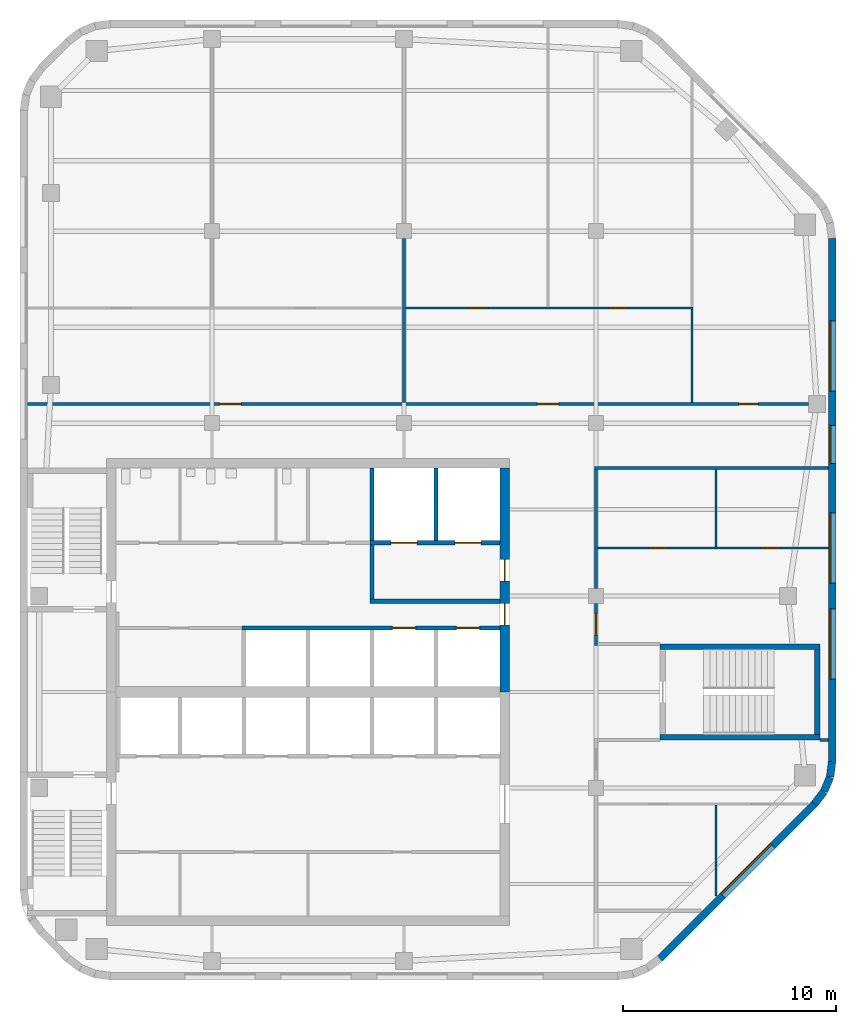
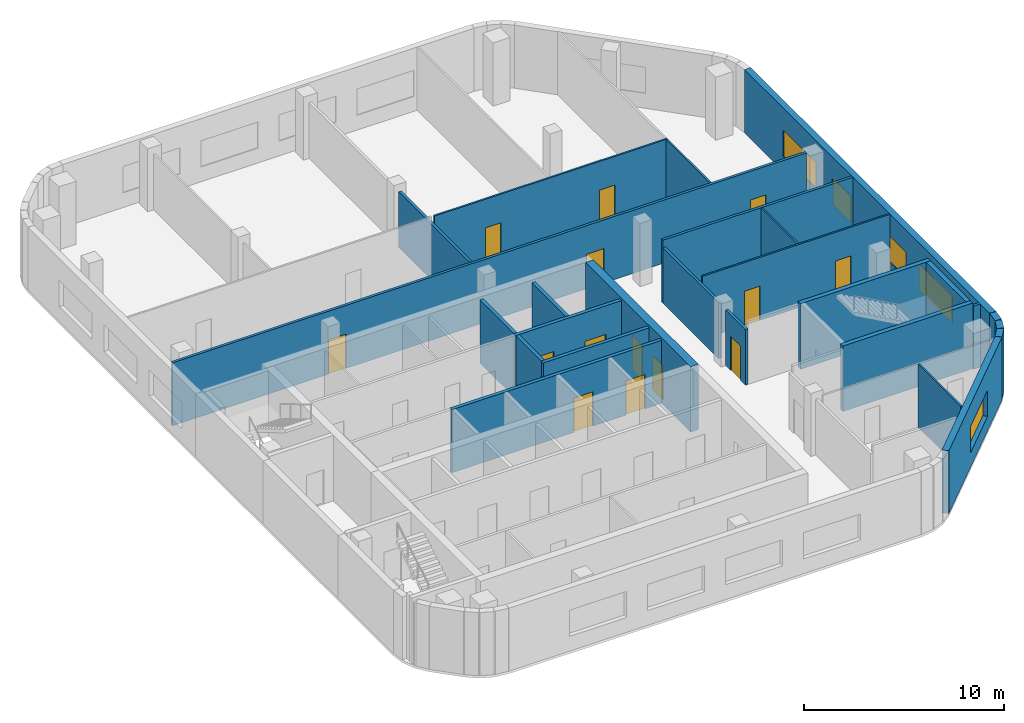
# One storey, part 4 of 7: 26 walls, 14 doors, 5 windows, 19 openings.
"""IFC4 building model written with IfcOpenShell, lengths in metres."""

import ifcopenshell
import ifcopenshell.guid

model = None  # the IFC model being written
_history = None  # IfcOwnerHistory: only IFC2X3 demands one
_inside = {}  # id of a spatial element -> (the spatial element, [elements in it])
_under = {}  # id of a project, library or spatial element -> (it, [spatial elements below it])
_declared = {}  # id of a project -> (the project, [libraries it declares])
_typed = {}  # id of a type object -> (the type object, [elements of that type])
_made_of = {}  # id of a material, layer set ... -> (it, [elements and type objects made of it])


def new_model(schema):
    """Start an empty IFC model of exactly this schema.

    Asked for "IFC4X3", IfcOpenShell would pick the latest addendum, in which some entities
    have other attributes; the version numbers below select the first issue.
    IFC2X3 requires an IfcOwnerHistory on every rooted entity: one is made here for all.
    """
    global model, _history
    if schema == "IFC4X3":
        model = ifcopenshell.file(schema_version=(4, 3, 0, 0))
    else:
        model = ifcopenshell.file(schema=schema)
    _inside.clear()
    _under.clear()
    _declared.clear()
    _typed.clear()
    _made_of.clear()
    _history = None
    if model.schema == "IFC2X3":
        org = make("IfcOrganization", Name="unknown")
        user = make(
            "IfcPersonAndOrganization",
            ThePerson=make("IfcPerson", FamilyName="unknown"),
            TheOrganization=org,
        )
        app = make(
            "IfcApplication",
            ApplicationDeveloper=org,
            Version="unknown",
            ApplicationFullName="unknown",
            ApplicationIdentifier="unknown",
        )
        _history = make(
            "IfcOwnerHistory",
            OwningUser=user,
            OwningApplication=app,
            ChangeAction="ADDED",
            CreationDate=0,
        )
    return model


def make(cls, **values):
    """One entity of the class cls with the attributes given. An attribute that is None is left unset."""
    return model.create_entity(
        cls, **{name: value for name, value in values.items() if value is not None}
    )


def rooted(cls, **values):
    """An entity with a GlobalId (a new one), such as an element, a storey or a relation."""
    return make(cls, GlobalId=ifcopenshell.guid.new(), OwnerHistory=_history, **values)


def si_unit(unit_type, name, prefix=None):
    """IfcSIUnit, for example si_unit("LENGTHUNIT", "METRE", prefix="MILLI")."""
    return make("IfcSIUnit", UnitType=unit_type, Prefix=prefix, Name=name)


def assignment(units):
    """IfcUnitAssignment: the units of a project."""
    return None if units is None else make("IfcUnitAssignment", Units=units)


def point(xyz):
    """IfcCartesianPoint."""
    return None if xyz is None else make("IfcCartesianPoint", Coordinates=xyz)


def direction(xyz):
    """IfcDirection."""
    return None if xyz is None else make("IfcDirection", DirectionRatios=xyz)


def frame(location, z_axis=None, x_axis=None):
    """IfcAxis2Placement3D, a coordinate frame: its origin and axes. An axis left out is left unset."""
    return make(
        "IfcAxis2Placement3D",
        Location=point(location),
        Axis=direction(z_axis),
        RefDirection=direction(x_axis),
    )


def frame_2d(location, x_axis=None):
    """IfcAxis2Placement2D, a coordinate frame in the plane: its origin and x axis."""
    return make(
        "IfcAxis2Placement2D", Location=point(location), RefDirection=direction(x_axis)
    )


def origin():
    """The frame at (0, 0, 0) with its axes left unset."""
    return frame((0.0, 0.0, 0.0))


def place(relative_to, where):
    """IfcLocalPlacement: puts the frame where relative to a parent placement (None: the world)."""
    return make(
        "IfcLocalPlacement", PlacementRelTo=relative_to, RelativePlacement=where
    )


def context(
    kind, dimensions, precision=None, world=None, true_north=None, identifier=None
):
    """IfcGeometricRepresentationContext, for example the 3D "Model" context."""
    return make(
        "IfcGeometricRepresentationContext",
        ContextIdentifier=identifier,
        ContextType=kind,
        CoordinateSpaceDimension=dimensions,
        Precision=precision,
        WorldCoordinateSystem=world,
        TrueNorth=true_north,
    )


def subcontext(parent, identifier, kind, view, scale=None):
    """IfcGeometricRepresentationSubContext, for example "Body" below "Model"."""
    return make(
        "IfcGeometricRepresentationSubContext",
        ContextIdentifier=identifier,
        ContextType=kind,
        ParentContext=parent,
        TargetScale=scale,
        TargetView=view,
    )


def project(units=None, contexts=None):
    """IfcProject with its units and contexts."""
    return rooted(
        "IfcProject",
        Name="project",
        RepresentationContexts=contexts,
        UnitsInContext=assignment(units),
    )


def spatial(cls, under=None, at=None, **own):
    """A site, building, storey or space (cls), placed at a placement, below another one or the project."""
    s = rooted(cls, ObjectPlacement=at, **own)
    if under is not None:
        _under.setdefault(under.id(), (under, []))[1].append(s)
    return s


def profile(cls, at=None, kind="AREA", **sizes):
    """A parametric profile (cls). Its sizes go by their IFC names, for example OverallWidth=200.0."""
    return make(cls, ProfileType=kind, Position=at, **sizes)


def rectangle(**sizes):
    """IfcRectangleProfileDef."""
    return profile("IfcRectangleProfileDef", **sizes)


def extrude(swept, where, along, depth):
    """IfcExtrudedAreaSolid: the profile swept, set in the frame where, extruded along a direction by depth."""
    return make(
        "IfcExtrudedAreaSolid",
        SweptArea=swept,
        Position=where,
        ExtrudedDirection=direction(along),
        Depth=depth,
    )


def shape(context_of_items, identifier, shape_type, items):
    """IfcShapeRepresentation: the items that make up one representation, for example the "Body"."""
    return make(
        "IfcShapeRepresentation",
        ContextOfItems=context_of_items,
        RepresentationIdentifier=identifier,
        RepresentationType=shape_type,
        Items=items,
    )


def material(Name=None, Category=None):
    """IfcMaterial."""
    return make("IfcMaterial", Name=Name, Category=Category)


def layer(
    of_material, thickness, ventilated=None, Name=None, Category=None, Priority=None
):
    """IfcMaterialLayer: one layer of a wall or slab, of a material (None: an air gap)."""
    return make(
        "IfcMaterialLayer",
        Material=of_material,
        LayerThickness=thickness,
        IsVentilated=ventilated,
        Name=Name,
        Category=Category,
        Priority=Priority,
    )


def layer_set(layers, Name=None):
    """IfcMaterialLayerSet."""
    return make("IfcMaterialLayerSet", MaterialLayers=layers, LayerSetName=Name)


def made_of(thing, what):
    """Note that an element or type object is made of a material, layer set ...; save() writes the relation."""
    if what is not None:
        _made_of.setdefault(what.id(), (what, []))[1].append(thing)
    return thing


def type_object(cls, material=None, **own):
    """A type object (cls), such as IfcWallType, which elements share."""
    return made_of(rooted(cls, **own), material)


def element(
    cls,
    number,
    at=None,
    inside=None,
    cuts=None,
    type_object=None,
    material=None,
    context=None,
    identifier="Body",
    shape_type=None,
    held_by="IfcProductDefinitionShape",
    body=None,
    shapes=None,
    **own,
):
    """One element of the class cls, such as IfcWall. Its Tag is "e" and its number.

    at: its placement. inside: the storey or other place that contains it. cuts: it is an
    opening in that element (IfcRelVoidsElement). A single representation is given by context,
    identifier, shape_type and body (its items); several are given by shapes. held_by: the class
    of the entity that holds the representations. save() writes the other relations.
    """
    e = rooted(cls, Tag="e%d" % number, ObjectPlacement=at, **own)
    if body is not None:
        shapes = [shape(context, identifier, shape_type, body)]
    if shapes is not None:
        e.Representation = make(held_by, Representations=shapes)
    if inside is not None:
        _inside.setdefault(inside.id(), (inside, []))[1].append(e)
    if cuts is not None:
        rooted(
            "IfcRelVoidsElement", RelatingBuildingElement=cuts, RelatedOpeningElement=e
        )
    if type_object is not None:
        _typed.setdefault(type_object.id(), (type_object, []))[1].append(e)
    return made_of(e, material)


def fill(opening, filler):
    """IfcRelFillsElement: the door or window that sits in an opening."""
    return rooted(
        "IfcRelFillsElement",
        RelatingOpeningElement=opening,
        RelatedBuildingElement=filler,
    )


def aggregate(whole, parts):
    """IfcRelAggregates: a whole, such as a stair, and the parts it consists of."""
    return rooted("IfcRelAggregates", RelatingObject=whole, RelatedObjects=parts)


def save(model, path):
    """Write the relations noted so far, then the file.

    IfcRelAggregates (storeys below a building ...), IfcRelContainedInSpatialStructure (elements
    in a storey), IfcRelDefinesByType, IfcRelAssociatesMaterial and IfcRelDeclares: one each for
    every whole, place, type object, material and project.
    """
    for whole, parts in _under.values():
        aggregate(whole, parts)
    for where, things in _inside.values():
        rooted(
            "IfcRelContainedInSpatialStructure",
            RelatedElements=things,
            RelatingStructure=where,
        )
    for kind, things in _typed.values():
        rooted("IfcRelDefinesByType", RelatedObjects=things, RelatingType=kind)
    for what, things in _made_of.values():
        rooted("IfcRelAssociatesMaterial", RelatedObjects=things, RelatingMaterial=what)
    for by, libraries in _declared.values():
        rooted("IfcRelDeclares", RelatingContext=by, RelatedDefinitions=libraries)
    model.write(path)


model = new_model("IFC4")

# Units and contexts
model_context = context("Model", 3, precision=1e-05, world=origin(), true_north=direction((0.0, 1.0)))
body_context = subcontext(model_context, "Body", "Model", "MODEL_VIEW")
ifc_project = project(units=[si_unit("LENGTHUNIT", "METRE"), si_unit("AREAUNIT", "SQUARE_METRE"), si_unit("VOLUMEUNIT", "CUBIC_METRE"), si_unit("PLANEANGLEUNIT", "RADIAN"), si_unit("MASSUNIT", "GRAM", prefix="KILO")], contexts=[model_context])

# Site, building, storey
site_placement = place(None, origin())
site = spatial("IfcSite", under=ifc_project, at=site_placement, CompositionType="ELEMENT")
building_placement = place(site_placement, origin())
building = spatial("IfcBuilding", under=site, at=building_placement, Name="Cinnabar Reach Civic Tower", CompositionType="ELEMENT")
storey_placement = place(building_placement, frame((0.0, 0.0, 263.0)))
storey = spatial("IfcBuildingStorey", under=building, at=storey_placement, Name="L63", CompositionType="ELEMENT", Elevation=263.0)

# Walls
ifc_material_1 = material(Name="Facing brick with insulated backing", Category="masonry")
ifc_layer_1 = layer(ifc_material_1, 0.36)
ifc_layer_set_1 = layer_set([ifc_layer_1], Name="Brick corner wall")
wall_type_1 = type_object("IfcWallType", Name="Brick corner wall", PredefinedType="STANDARD", material=ifc_layer_set_1)
wall_1_placement = place(storey_placement, frame((37.2498, 26.2587, 0.0), z_axis=(0.0, 0.0, 1.0), x_axis=(0.608802368033, 0.793321924995, 0.0)))
element("IfcWall", 1, at=wall_1_placement, inside=storey, type_object=wall_type_1, Name="Brick corner wall", PredefinedType="STANDARD", context=body_context, shape_type="SweptSolid", body=[
    extrude(rectangle(XDim=0.7132, YDim=0.36, at=frame_2d((0.3566, 0.0))), origin(), (0.0, 0.0, 1.0), 3.85),
])
for number, where, z_axis, x_axis, name in (
    (2, (37.6952, 26.8439, 0.0), (0.0, 0.0, 1.0), (0.382702709855, 0.923871547278, 0.0), "Brick corner wall"),
    (3, (37.9739, 27.5244, 0.0), (0.0, 0.0, 1.0), (0.13055608231, 0.99144092581, 0.0), "Brick corner wall"),
):
    element("IfcWall", number, at=place(storey_placement, frame(where, z_axis=z_axis, x_axis=x_axis)), inside=storey, type_object=wall_type_1, Name=name, PredefinedType="STANDARD", context=body_context, shape_type="SweptSolid", body=[
        extrude(rectangle(XDim=0.7131, YDim=0.36, at=frame_2d((0.3565, 0.0))), origin(), (0.0, 0.0, 1.0), 3.85),
    ])

# Wall, opening, window
ifc_layer_2 = layer(ifc_material_1, 0.36)
ifc_layer_set_2 = layer_set([ifc_layer_2], Name="Brick pier and spandrel wall")
wall_type_2 = type_object("IfcWallType", Name="Brick pier and spandrel wall", PredefinedType="STANDARD", material=ifc_layer_set_2)
wall_2_placement = place(storey_placement, frame((30.0014, 19.006, 0.0), z_axis=(0.0, 0.0, 1.0), x_axis=(0.707106781187, 0.707106781187, 0.0)))
wall_2 = element("IfcWall", 4, at=wall_2_placement, inside=storey, type_object=wall_type_2, Name="Brick facade wall", PredefinedType="STANDARD", context=body_context, shape_type="SweptSolid", body=[
    extrude(rectangle(XDim=10.2426, YDim=0.36, at=frame_2d((5.1213, 0.0))), origin(), (0.0, 0.0, 1.0), 3.85),
])
opening_1_placement = place(wall_2_placement, frame((4.1713, 0.0, 0.9)))
opening_1 = element("IfcOpeningElement", 5, at=opening_1_placement, cuts=wall_2, Name="Opening W2249", PredefinedType="OPENING", context=body_context, shape_type="SweptSolid", body=[
    extrude(rectangle(XDim=3.3, YDim=1.6, at=frame_2d((1.65, 0.8))), frame((0.0, 0.19, 0.0), z_axis=(0.0, -1.0, 0.0), x_axis=(1.0, 0.0, 0.0)), (0.0, 0.0, 1.0), 0.38),
])
ifc_material_2 = material(Name="Clear double glazing in aluminium frame", Category="aluminium")
window_type_1 = type_object("IfcWindowType", Name="Deep-set window A", PartitioningType="SINGLE_PANEL", PredefinedType="WINDOW", material=ifc_material_2)
window_1_placement = place(opening_1_placement, origin())
window_1 = element("IfcWindow", 6, at=window_1_placement, inside=storey, type_object=window_type_1, Name="Window southeast face", OverallHeight=1.6, OverallWidth=3.3, PartitioningType="SINGLE_PANEL", PredefinedType="WINDOW", context=body_context, shape_type="SweptSolid", body=[
    extrude(rectangle(XDim=3.3, YDim=1.6, at=frame_2d((1.65, 0.8))), frame((0.0, 0.13, 0.0), z_axis=(0.0, -1.0, 0.0), x_axis=(1.0, 0.0, 0.0)), (0.0, 0.0, 1.0), 0.06),
])
fill(opening_1, window_1)

# Wall, openings, windows
wall_3_placement = place(storey_placement, frame((38.07, 28.2426, 0.0), z_axis=(0.0, 0.0, 1.0), x_axis=(0.0, 1.0, 0.0)))
wall_3 = element("IfcWall", 7, at=wall_3_placement, inside=storey, type_object=wall_type_2, Name="Brick facade wall", PredefinedType="STANDARD", context=body_context, shape_type="SweptSolid", body=[
    extrude(rectangle(XDim=24.5148, YDim=0.36, at=frame_2d((12.2574, 0.0))), origin(), (0.0, 0.0, 1.0), 3.85),
])
opening_2_placement = place(wall_3_placement, frame((3.8574, 0.0, 0.9)))
opening_2 = element("IfcOpeningElement", 8, at=opening_2_placement, cuts=wall_3, Name="Opening W2250", PredefinedType="OPENING", context=body_context, shape_type="SweptSolid", body=[
    extrude(rectangle(XDim=3.3, YDim=1.6, at=frame_2d((1.65, 0.8))), frame((0.0, 0.19, 0.0), z_axis=(0.0, -1.0, 0.0), x_axis=(1.0, 0.0, 0.0)), (0.0, 0.0, 1.0), 0.38),
])
opening_3_placement = place(wall_3_placement, frame((8.3574, 0.0, 0.9)))
opening_3 = element("IfcOpeningElement", 9, at=opening_3_placement, cuts=wall_3, Name="Opening W2251", PredefinedType="OPENING", context=body_context, shape_type="SweptSolid", body=[
    extrude(rectangle(XDim=3.3, YDim=1.6, at=frame_2d((1.65, 0.8))), frame((0.0, 0.19, 0.0), z_axis=(0.0, -1.0, 0.0), x_axis=(1.0, 0.0, 0.0)), (0.0, 0.0, 1.0), 0.38),
])
opening_4_placement = place(wall_3_placement, frame((13.9574, 0.0, 0.9)))
opening_4 = element("IfcOpeningElement", 10, at=opening_4_placement, cuts=wall_3, Name="Opening W2252", PredefinedType="OPENING", context=body_context, shape_type="SweptSolid", body=[
    extrude(rectangle(XDim=1.8, YDim=1.6, at=frame_2d((0.9, 0.8))), frame((0.0, 0.19, 0.0), z_axis=(0.0, -1.0, 0.0), x_axis=(1.0, 0.0, 0.0)), (0.0, 0.0, 1.0), 0.38),
])
opening_5_placement = place(wall_3_placement, frame((17.3574, 0.0, 0.9)))
opening_5 = element("IfcOpeningElement", 11, at=opening_5_placement, cuts=wall_3, Name="Opening W2253", PredefinedType="OPENING", context=body_context, shape_type="SweptSolid", body=[
    extrude(rectangle(XDim=3.3, YDim=1.6, at=frame_2d((1.65, 0.8))), frame((0.0, 0.19, 0.0), z_axis=(0.0, -1.0, 0.0), x_axis=(1.0, 0.0, 0.0)), (0.0, 0.0, 1.0), 0.38),
])
window_2_placement = place(opening_2_placement, origin())
window_2 = element("IfcWindow", 12, at=window_2_placement, inside=storey, type_object=window_type_1, Name="Window east face", OverallHeight=1.6, OverallWidth=3.3, PartitioningType="SINGLE_PANEL", PredefinedType="WINDOW", context=body_context, shape_type="SweptSolid", body=[
    extrude(rectangle(XDim=3.3, YDim=1.6, at=frame_2d((1.65, 0.8))), frame((0.0, 0.13, 0.0), z_axis=(0.0, -1.0, 0.0), x_axis=(1.0, 0.0, 0.0)), (0.0, 0.0, 1.0), 0.06),
])
fill(opening_2, window_2)
window_3_placement = place(opening_3_placement, origin())
window_3 = element("IfcWindow", 13, at=window_3_placement, inside=storey, type_object=window_type_1, Name="Window east face", OverallHeight=1.6, OverallWidth=3.3, PartitioningType="SINGLE_PANEL", PredefinedType="WINDOW", context=body_context, shape_type="SweptSolid", body=[
    extrude(rectangle(XDim=3.3, YDim=1.6, at=frame_2d((1.65, 0.8))), frame((0.0, 0.13, 0.0), z_axis=(0.0, -1.0, 0.0), x_axis=(1.0, 0.0, 0.0)), (0.0, 0.0, 1.0), 0.06),
])
fill(opening_3, window_3)
window_4_placement = place(opening_5_placement, origin())
window_4 = element("IfcWindow", 14, at=window_4_placement, inside=storey, type_object=window_type_1, Name="Window east face", OverallHeight=1.6, OverallWidth=3.3, PartitioningType="SINGLE_PANEL", PredefinedType="WINDOW", context=body_context, shape_type="SweptSolid", body=[
    extrude(rectangle(XDim=3.3, YDim=1.6, at=frame_2d((1.65, 0.8))), frame((0.0, 0.13, 0.0), z_axis=(0.0, -1.0, 0.0), x_axis=(1.0, 0.0, 0.0)), (0.0, 0.0, 1.0), 0.06),
])
fill(opening_5, window_4)
window_type_2 = type_object("IfcWindowType", Name="Deep-set window D", PartitioningType="SINGLE_PANEL", PredefinedType="WINDOW", material=ifc_material_2)
window_5_placement = place(opening_4_placement, origin())
window_5 = element("IfcWindow", 15, at=window_5_placement, inside=storey, type_object=window_type_2, Name="Window east face", OverallHeight=1.6, OverallWidth=1.8, PartitioningType="SINGLE_PANEL", PredefinedType="WINDOW", context=body_context, shape_type="SweptSolid", body=[
    extrude(rectangle(XDim=1.8, YDim=1.6, at=frame_2d((0.9, 0.8))), frame((0.0, 0.13, 0.0), z_axis=(0.0, -1.0, 0.0), x_axis=(1.0, 0.0, 0.0)), (0.0, 0.0, 1.0), 0.06),
])
fill(opening_4, window_5)

# Wall, openings, doors
ifc_material_3 = material(Name="Concrete C60", Category="concrete")
ifc_layer_3 = layer(ifc_material_3, 0.45)
ifc_layer_set_3 = layer_set([ifc_layer_3], Name="Core wall 450 EI 180")
wall_type_3 = type_object("IfcWallType", Name="Core wall 450 EI 180", PredefinedType="SOLIDWALL", material=ifc_layer_set_3)
wall_4_placement = place(storey_placement, frame((22.725, 31.5, 0.0), z_axis=(0.0, 0.0, 1.0), x_axis=(0.0, 1.0, 0.0)))
wall_4 = element("IfcWall", 16, at=wall_4_placement, inside=storey, type_object=wall_type_3, Name="Core wall T1 L63 E2", PredefinedType="SOLIDWALL", context=body_context, shape_type="SweptSolid", body=[
    extrude(rectangle(XDim=10.5, YDim=0.45, at=frame_2d((5.25, 0.0))), origin(), (0.0, 0.0, 1.0), 4.0),
])
opening_6_placement = place(wall_4_placement, frame((3.15, 0.0, 0.0)))
opening_6 = element("IfcOpeningElement", 17, at=opening_6_placement, cuts=wall_4, Name="Opening D5521", PredefinedType="OPENING", context=body_context, shape_type="SweptSolid", body=[
    extrude(rectangle(XDim=1.0, YDim=2.1, at=frame_2d((0.5, 1.05))), frame((0.0, 0.235, 0.0), z_axis=(0.0, -1.0, 0.0), x_axis=(1.0, 0.0, 0.0)), (0.0, 0.0, 1.0), 0.47),
])
opening_7_placement = place(wall_4_placement, frame((5.2, 0.0, 0.0)))
opening_7 = element("IfcOpeningElement", 18, at=opening_7_placement, cuts=wall_4, Name="Opening D5522", PredefinedType="OPENING", context=body_context, shape_type="SweptSolid", body=[
    extrude(rectangle(XDim=1.0, YDim=2.1, at=frame_2d((0.5, 1.05))), frame((0.0, 0.235, 0.0), z_axis=(0.0, -1.0, 0.0), x_axis=(1.0, 0.0, 0.0)), (0.0, 0.0, 1.0), 0.47),
])
ifc_material_4 = material(Name="Timber door leaf in steel frame", Category="steel")
door_type_1 = type_object("IfcDoorType", Name="Firefighting lobby door 1000 x 2100 T1", OperationType="SINGLE_SWING_LEFT", PredefinedType="DOOR", material=ifc_material_4)
door_1_placement = place(opening_7_placement, origin())
door_1 = element("IfcDoor", 19, at=door_1_placement, inside=storey, type_object=door_type_1, Name="Door D5522", OperationType="SINGLE_SWING_RIGHT", OverallHeight=2.1, OverallWidth=1.0, PredefinedType="DOOR", context=body_context, shape_type="SweptSolid", body=[
    extrude(rectangle(XDim=1.0, YDim=2.1, at=frame_2d((0.5, 1.05))), frame((0.0, 0.025, 0.0), z_axis=(0.0, -1.0, 0.0), x_axis=(1.0, 0.0, 0.0)), (0.0, 0.0, 1.0), 0.05),
])
fill(opening_7, door_1)
door_type_2 = type_object("IfcDoorType", Name="Single swing door 1000 x 2100 T1", OperationType="SINGLE_SWING_LEFT", PredefinedType="DOOR", material=ifc_material_4)
door_2_placement = place(opening_6_placement, origin())
door_2 = element("IfcDoor", 20, at=door_2_placement, inside=storey, type_object=door_type_2, Name="Door D5521", OperationType="SINGLE_SWING_RIGHT", OverallHeight=2.1, OverallWidth=1.0, PredefinedType="DOOR", context=body_context, shape_type="SweptSolid", body=[
    extrude(rectangle(XDim=1.0, YDim=2.1, at=frame_2d((0.5, 1.05))), frame((0.0, 0.025, 0.0), z_axis=(0.0, -1.0, 0.0), x_axis=(1.0, 0.0, 0.0)), (0.0, 0.0, 1.0), 0.05),
])
fill(opening_6, door_2)

ifc_material_5 = material(Name="Gypsum board on steel studs, double layer", Category="steel")
ifc_layer_4 = layer(ifc_material_5, 0.15)
ifc_layer_set_4 = layer_set([ifc_layer_4], Name="Corridor wall 150 T1")
wall_type_4 = type_object("IfcWallType", Name="Corridor wall 150 T1", PredefinedType="PARTITIONING", material=ifc_layer_set_4)
wall_5_placement = place(storey_placement, frame((0.36, 45.0, 0.0), z_axis=(0.0, 0.0, 1.0), x_axis=(1.0, 0.0, 0.0)))
wall_5 = element("IfcWall", 21, at=wall_5_placement, inside=storey, type_object=wall_type_4, Name="Corridor wall 18", PredefinedType="PARTITIONING", context=body_context, shape_type="SweptSolid", body=[
    extrude(rectangle(XDim=36.59, YDim=0.15, at=frame_2d((18.295, 0.0))), origin(), (0.0, 0.0, 1.0), 3.85),
])
opening_8_placement = place(wall_5_placement, frame((9.0, 0.0, 0.0)))
opening_8 = element("IfcOpeningElement", 22, at=opening_8_placement, cuts=wall_5, Name="Opening D5538", PredefinedType="OPENING", context=body_context, shape_type="SweptSolid", body=[
    extrude(rectangle(XDim=1.0, YDim=2.1, at=frame_2d((0.5, 1.05))), frame((0.0, 0.085, 0.0), z_axis=(0.0, -1.0, 0.0), x_axis=(1.0, 0.0, 0.0)), (0.0, 0.0, 1.0), 0.17),
])
opening_9_placement = place(wall_5_placement, frame((23.89, 0.0, 0.0)))
opening_9 = element("IfcOpeningElement", 23, at=opening_9_placement, cuts=wall_5, Name="Opening D5541", PredefinedType="OPENING", context=body_context, shape_type="SweptSolid", body=[
    extrude(rectangle(XDim=1.0, YDim=2.1, at=frame_2d((0.5, 1.05))), frame((0.0, 0.085, 0.0), z_axis=(0.0, -1.0, 0.0), x_axis=(1.0, 0.0, 0.0)), (0.0, 0.0, 1.0), 0.17),
])
opening_10_placement = place(wall_5_placement, frame((33.34, 0.0, 0.0)))
opening_10 = element("IfcOpeningElement", 24, at=opening_10_placement, cuts=wall_5, Name="Opening D5544", PredefinedType="OPENING", context=body_context, shape_type="SweptSolid", body=[
    extrude(rectangle(XDim=0.9, YDim=2.1, at=frame_2d((0.45, 1.05))), frame((0.0, 0.085, 0.0), z_axis=(0.0, -1.0, 0.0), x_axis=(1.0, 0.0, 0.0)), (0.0, 0.0, 1.0), 0.17),
])
door_type_3 = type_object("IfcDoorType", Name="Single swing door 900 x 2100 corridor T1", OperationType="SINGLE_SWING_LEFT", PredefinedType="DOOR", material=ifc_material_4)
door_3_placement = place(opening_10_placement, origin())
door_3 = element("IfcDoor", 25, at=door_3_placement, inside=storey, type_object=door_type_3, Name="Door D5544", OperationType="SINGLE_SWING_RIGHT", OverallHeight=2.1, OverallWidth=0.9, PredefinedType="DOOR", context=body_context, shape_type="SweptSolid", body=[
    extrude(rectangle(XDim=0.9, YDim=2.1, at=frame_2d((0.45, 1.05))), frame((0.0, 0.025, 0.0), z_axis=(0.0, -1.0, 0.0), x_axis=(1.0, 0.0, 0.0)), (0.0, 0.0, 1.0), 0.05),
])
fill(opening_10, door_3)
door_type_4 = type_object("IfcDoorType", Name="Tenancy entrance door 1000 x 2100 T1", OperationType="SINGLE_SWING_LEFT", PredefinedType="DOOR", material=ifc_material_4)
door_4_placement = place(opening_8_placement, origin())
door_4 = element("IfcDoor", 26, at=door_4_placement, inside=storey, type_object=door_type_4, Name="Door D5538", OperationType="SINGLE_SWING_RIGHT", OverallHeight=2.1, OverallWidth=1.0, PredefinedType="DOOR", context=body_context, shape_type="SweptSolid", body=[
    extrude(rectangle(XDim=1.0, YDim=2.1, at=frame_2d((0.5, 1.05))), frame((0.0, 0.025, 0.0), z_axis=(0.0, -1.0, 0.0), x_axis=(1.0, 0.0, 0.0)), (0.0, 0.0, 1.0), 0.05),
])
fill(opening_8, door_4)
door_5_placement = place(opening_9_placement, origin())
door_5 = element("IfcDoor", 27, at=door_5_placement, inside=storey, type_object=door_type_4, Name="Door D5541", OperationType="SINGLE_SWING_LEFT", OverallHeight=2.1, OverallWidth=1.0, PredefinedType="DOOR", context=body_context, shape_type="SweptSolid", body=[
    extrude(rectangle(XDim=1.0, YDim=2.1, at=frame_2d((0.5, 1.05))), frame((0.0, 0.025, 0.0), z_axis=(0.0, -1.0, 0.0), x_axis=(1.0, 0.0, 0.0)), (0.0, 0.0, 1.0), 0.05),
])
fill(opening_9, door_5)

# Wall
wall_6_placement = place(storey_placement, frame((26.925, 42.0, 0.0), z_axis=(0.0, 0.0, 1.0), x_axis=(1.0, 0.0, 0.0)))
element("IfcWall", 28, at=wall_6_placement, inside=storey, type_object=wall_type_4, Name="Corridor wall 21", PredefinedType="PARTITIONING", context=body_context, shape_type="SweptSolid", body=[
    extrude(rectangle(XDim=10.965, YDim=0.15, at=frame_2d((5.4825, 0.0))), origin(), (0.0, 0.0, 1.0), 3.85),
])

# Wall, opening, door
wall_7_placement = place(storey_placement, frame((27.0, 33.675, 0.0), z_axis=(0.0, 0.0, 1.0), x_axis=(0.0, 1.0, 0.0)))
wall_7 = element("IfcWall", 29, at=wall_7_placement, inside=storey, type_object=wall_type_4, Name="Corridor wall 22", PredefinedType="PARTITIONING", context=body_context, shape_type="SweptSolid", body=[
    extrude(rectangle(XDim=1.975, YDim=0.15, at=frame_2d((0.9875, 0.0))), origin(), (0.0, 0.0, 1.0), 3.4),
])
opening_11_placement = place(wall_7_placement, frame((0.5, 0.0, 0.0)))
opening_11 = element("IfcOpeningElement", 30, at=opening_11_placement, cuts=wall_7, Name="Opening D5532", PredefinedType="OPENING", context=body_context, shape_type="SweptSolid", body=[
    extrude(rectangle(XDim=1.0, YDim=2.1, at=frame_2d((0.5, 1.05))), frame((0.0, 0.085, 0.0), z_axis=(0.0, -1.0, 0.0), x_axis=(1.0, 0.0, 0.0)), (0.0, 0.0, 1.0), 0.17),
])
door_6_placement = place(opening_11_placement, frame((1.0, 0.0, 0.0), z_axis=(0.0, 0.0, 1.0), x_axis=(-1.0, 0.0, 0.0)))
door_6 = element("IfcDoor", 31, at=door_6_placement, inside=storey, type_object=door_type_4, Name="Door D5532", OperationType="SINGLE_SWING_RIGHT", OverallHeight=2.1, OverallWidth=1.0, PredefinedType="DOOR", context=body_context, shape_type="SweptSolid", body=[
    extrude(rectangle(XDim=1.0, YDim=2.1, at=frame_2d((0.5, 1.05))), frame((0.0, 0.025, 0.0), z_axis=(0.0, -1.0, 0.0), x_axis=(1.0, 0.0, 0.0)), (0.0, 0.0, 1.0), 0.05),
])
fill(opening_11, door_6)

# Wall
wall_8_placement = place(storey_placement, frame((27.0, 36.35, 0.0), z_axis=(0.0, 0.0, 1.0), x_axis=(0.0, 1.0, 0.0)))
element("IfcWall", 32, at=wall_8_placement, inside=storey, type_object=wall_type_4, Name="Corridor wall 23", PredefinedType="PARTITIONING", context=body_context, shape_type="SweptSolid", body=[
    extrude(rectangle(XDim=5.575, YDim=0.15, at=frame_2d((2.7875, 0.0))), origin(), (0.0, 0.0, 1.0), 3.4),
])

# Wall, openings, doors
ifc_material_6 = material(Name="Blockwork", Category="masonry")
ifc_layer_5 = layer(ifc_material_6, 0.2)
ifc_layer_set_5 = layer_set([ifc_layer_5], Name="Lift shaft wall 200 T1")
wall_type_5 = type_object("IfcWallType", Name="Lift shaft wall 200 T1", PredefinedType="PARTITIONING", material=ifc_layer_set_5)
wall_9_placement = place(storey_placement, frame((10.4, 34.5, 0.0), z_axis=(0.0, 0.0, 1.0), x_axis=(1.0, 0.0, 0.0)))
wall_9 = element("IfcWall", 33, at=wall_9_placement, inside=storey, type_object=wall_type_5, Name="Lift shaft wall 5", PredefinedType="PARTITIONING", context=body_context, shape_type="SweptSolid", body=[
    extrude(rectangle(XDim=12.1, YDim=0.2, at=frame_2d((6.05, 0.0))), origin(), (0.0, 0.0, 1.0), 3.85),
])
opening_12_placement = place(wall_9_placement, frame((7.05, 0.0, 0.0)))
opening_12 = element("IfcOpeningElement", 34, at=opening_12_placement, cuts=wall_9, Name="Opening D5516", PredefinedType="OPENING", context=body_context, shape_type="SweptSolid", body=[
    extrude(rectangle(XDim=1.1, YDim=2.1, at=frame_2d((0.55, 1.05))), frame((0.0, 0.11, 0.0), z_axis=(0.0, -1.0, 0.0), x_axis=(1.0, 0.0, 0.0)), (0.0, 0.0, 1.0), 0.22),
])
opening_13_placement = place(wall_9_placement, frame((10.05, 0.0, 0.0)))
opening_13 = element("IfcOpeningElement", 35, at=opening_13_placement, cuts=wall_9, Name="Opening D5517", PredefinedType="OPENING", context=body_context, shape_type="SweptSolid", body=[
    extrude(rectangle(XDim=1.1, YDim=2.1, at=frame_2d((0.55, 1.05))), frame((0.0, 0.11, 0.0), z_axis=(0.0, -1.0, 0.0), x_axis=(1.0, 0.0, 0.0)), (0.0, 0.0, 1.0), 0.22),
])
ifc_material_7 = material(Name="Stainless steel sliding door", Category="steel")
door_type_5 = type_object("IfcDoorType", Name="Lift landing door 1100 x 2100 T1", OperationType="SLIDING_TO_LEFT", PredefinedType="DOOR", material=ifc_material_7)
door_7_placement = place(opening_12_placement, origin())
door_7 = element("IfcDoor", 36, at=door_7_placement, inside=storey, type_object=door_type_5, Name="Lift landing door SV1 L63", OperationType="SLIDING_TO_LEFT", OverallHeight=2.1, OverallWidth=1.1, PredefinedType="DOOR", context=body_context, shape_type="SweptSolid", body=[
    extrude(rectangle(XDim=1.1, YDim=2.1, at=frame_2d((0.55, 1.05))), frame((0.0, 0.025, 0.0), z_axis=(0.0, -1.0, 0.0), x_axis=(1.0, 0.0, 0.0)), (0.0, 0.0, 1.0), 0.05),
])
fill(opening_12, door_7)
door_8_placement = place(opening_13_placement, origin())
door_8 = element("IfcDoor", 37, at=door_8_placement, inside=storey, type_object=door_type_5, Name="Lift landing door SV2 L63", OperationType="SLIDING_TO_LEFT", OverallHeight=2.1, OverallWidth=1.1, PredefinedType="DOOR", context=body_context, shape_type="SweptSolid", body=[
    extrude(rectangle(XDim=1.1, YDim=2.1, at=frame_2d((0.55, 1.05))), frame((0.0, 0.025, 0.0), z_axis=(0.0, -1.0, 0.0), x_axis=(1.0, 0.0, 0.0)), (0.0, 0.0, 1.0), 0.05),
])
fill(opening_13, door_8)

# Walls
for number, where, z_axis, x_axis, name in (
    (38, (16.5, 38.6, 0.0), (0.0, 0.0, 1.0), (0.0, 1.0, 0.0), "Lift shaft wall 14"),
    (39, (19.5, 38.6, 0.0), (0.0, 0.0, 1.0), (0.0, 1.0, 0.0), "Lift shaft wall 15"),
):
    element("IfcWall", number, at=place(storey_placement, frame(where, z_axis=z_axis, x_axis=x_axis)), inside=storey, type_object=wall_type_5, Name=name, PredefinedType="PARTITIONING", context=body_context, shape_type="SweptSolid", body=[
        extrude(rectangle(XDim=3.4, YDim=0.2, at=frame_2d((1.7, 0.0))), origin(), (0.0, 0.0, 1.0), 3.85),
    ])

# Wall, openings, doors
ifc_material_8 = material(Name="Gypsum board on steel studs", Category="steel")
ifc_layer_6 = layer(ifc_material_8, 0.1)
ifc_layer_set_6 = layer_set([ifc_layer_6], Name="Partition wall 100 T1")
wall_type_6 = type_object("IfcWallType", Name="Partition wall 100 T1", PredefinedType="PARTITIONING", material=ifc_layer_set_6)
wall_10_placement = place(storey_placement, frame((18.075, 49.5, 0.0), z_axis=(0.0, 0.0, 1.0), x_axis=(1.0, 0.0, 0.0)))
wall_10 = element("IfcWall", 40, at=wall_10_placement, inside=storey, type_object=wall_type_6, Name="Partition wall 37", PredefinedType="PARTITIONING", context=body_context, shape_type="SweptSolid", body=[
    extrude(rectangle(XDim=13.475, YDim=0.1, at=frame_2d((6.7375, 0.0))), origin(), (0.0, 0.0, 1.0), 3.85),
])
opening_14_placement = place(wall_10_placement, frame((2.95, 0.0, 0.0)))
opening_14 = element("IfcOpeningElement", 41, at=opening_14_placement, cuts=wall_10, Name="Opening D5542", PredefinedType="OPENING", context=body_context, shape_type="SweptSolid", body=[
    extrude(rectangle(XDim=0.9, YDim=2.1, at=frame_2d((0.45, 1.05))), frame((0.0, 0.06, 0.0), z_axis=(0.0, -1.0, 0.0), x_axis=(1.0, 0.0, 0.0)), (0.0, 0.0, 1.0), 0.12),
])
opening_15_placement = place(wall_10_placement, frame((9.525, 0.0, 0.0)))
opening_15 = element("IfcOpeningElement", 42, at=opening_15_placement, cuts=wall_10, Name="Opening D5543", PredefinedType="OPENING", context=body_context, shape_type="SweptSolid", body=[
    extrude(rectangle(XDim=0.9, YDim=2.1, at=frame_2d((0.45, 1.05))), frame((0.0, 0.06, 0.0), z_axis=(0.0, -1.0, 0.0), x_axis=(1.0, 0.0, 0.0)), (0.0, 0.0, 1.0), 0.12),
])
door_type_6 = type_object("IfcDoorType", Name="Single swing door 900 x 2100 T1", OperationType="SINGLE_SWING_LEFT", PredefinedType="DOOR", material=ifc_material_4)
door_9_placement = place(opening_14_placement, frame((0.9, 0.0, 0.0), z_axis=(0.0, 0.0, 1.0), x_axis=(-1.0, 0.0, 0.0)))
door_9 = element("IfcDoor", 43, at=door_9_placement, inside=storey, type_object=door_type_6, Name="Door D5542", OperationType="SINGLE_SWING_LEFT", OverallHeight=2.1, OverallWidth=0.9, PredefinedType="DOOR", context=body_context, shape_type="SweptSolid", body=[
    extrude(rectangle(XDim=0.9, YDim=2.1, at=frame_2d((0.45, 1.05))), frame((0.0, 0.025, 0.0), z_axis=(0.0, -1.0, 0.0), x_axis=(1.0, 0.0, 0.0)), (0.0, 0.0, 1.0), 0.05),
])
fill(opening_14, door_9)
door_10_placement = place(opening_15_placement, frame((0.9, 0.0, 0.0), z_axis=(0.0, 0.0, 1.0), x_axis=(-1.0, 0.0, 0.0)))
door_10 = element("IfcDoor", 44, at=door_10_placement, inside=storey, type_object=door_type_6, Name="Door D5543", OperationType="SINGLE_SWING_LEFT", OverallHeight=2.1, OverallWidth=0.9, PredefinedType="DOOR", context=body_context, shape_type="SweptSolid", body=[
    extrude(rectangle(XDim=0.9, YDim=2.1, at=frame_2d((0.45, 1.05))), frame((0.0, 0.025, 0.0), z_axis=(0.0, -1.0, 0.0), x_axis=(1.0, 0.0, 0.0)), (0.0, 0.0, 1.0), 0.05),
])
fill(opening_15, door_10)

# Wall
wall_11_placement = place(storey_placement, frame((31.5, 45.075, 0.0), z_axis=(0.0, 0.0, 1.0), x_axis=(0.0, 1.0, 0.0)))
element("IfcWall", 45, at=wall_11_placement, inside=storey, type_object=wall_type_6, Name="Partition wall 39", PredefinedType="PARTITIONING", context=body_context, shape_type="SweptSolid", body=[
    extrude(rectangle(XDim=4.375, YDim=0.1, at=frame_2d((2.1875, 0.0))), origin(), (0.0, 0.0, 1.0), 3.85),
])

# Wall, openings, doors
wall_12_placement = place(storey_placement, frame((27.075, 38.25, 0.0), z_axis=(0.0, 0.0, 1.0), x_axis=(1.0, 0.0, 0.0)))
wall_12 = element("IfcWall", 46, at=wall_12_placement, inside=storey, type_object=wall_type_6, Name="Partition wall 44", PredefinedType="PARTITIONING", context=body_context, shape_type="SweptSolid", body=[
    extrude(rectangle(XDim=10.815, YDim=0.1, at=frame_2d((5.4075, 0.0))), origin(), (0.0, 0.0, 1.0), 3.85),
])
opening_16_placement = place(wall_12_placement, frame((2.4, 0.0, 0.0)))
opening_16 = element("IfcOpeningElement", 47, at=opening_16_placement, cuts=wall_12, Name="Opening D5533", PredefinedType="OPENING", context=body_context, shape_type="SweptSolid", body=[
    extrude(rectangle(XDim=0.9, YDim=2.1, at=frame_2d((0.45, 1.05))), frame((0.0, 0.06, 0.0), z_axis=(0.0, -1.0, 0.0), x_axis=(1.0, 0.0, 0.0)), (0.0, 0.0, 1.0), 0.12),
])
opening_17_placement = place(wall_12_placement, frame((7.65, 0.0, 0.0)))
opening_17 = element("IfcOpeningElement", 48, at=opening_17_placement, cuts=wall_12, Name="Opening D5534", PredefinedType="OPENING", context=body_context, shape_type="SweptSolid", body=[
    extrude(rectangle(XDim=0.9, YDim=2.1, at=frame_2d((0.45, 1.05))), frame((0.0, 0.06, 0.0), z_axis=(0.0, -1.0, 0.0), x_axis=(1.0, 0.0, 0.0)), (0.0, 0.0, 1.0), 0.12),
])
door_11_placement = place(opening_16_placement, origin())
door_11 = element("IfcDoor", 49, at=door_11_placement, inside=storey, type_object=door_type_6, Name="Door D5533", OperationType="SINGLE_SWING_RIGHT", OverallHeight=2.1, OverallWidth=0.9, PredefinedType="DOOR", context=body_context, shape_type="SweptSolid", body=[
    extrude(rectangle(XDim=0.9, YDim=2.1, at=frame_2d((0.45, 1.05))), frame((0.0, 0.025, 0.0), z_axis=(0.0, -1.0, 0.0), x_axis=(1.0, 0.0, 0.0)), (0.0, 0.0, 1.0), 0.05),
])
fill(opening_16, door_11)
door_12_placement = place(opening_17_placement, origin())
door_12 = element("IfcDoor", 50, at=door_12_placement, inside=storey, type_object=door_type_6, Name="Door D5534", OperationType="SINGLE_SWING_LEFT", OverallHeight=2.1, OverallWidth=0.9, PredefinedType="DOOR", context=body_context, shape_type="SweptSolid", body=[
    extrude(rectangle(XDim=0.9, YDim=2.1, at=frame_2d((0.45, 1.05))), frame((0.0, 0.025, 0.0), z_axis=(0.0, -1.0, 0.0), x_axis=(1.0, 0.0, 0.0)), (0.0, 0.0, 1.0), 0.05),
])
fill(opening_17, door_12)

# Walls
wall_13_placement = place(storey_placement, frame((32.625, 21.9341, 0.0), z_axis=(0.0, 0.0, 1.0), x_axis=(0.0, 1.0, 0.0)))
element("IfcWall", 51, at=wall_13_placement, inside=storey, type_object=wall_type_6, Name="Partition wall 46", PredefinedType="PARTITIONING", context=body_context, shape_type="SweptSolid", body=[
    extrude(rectangle(XDim=4.2659, YDim=0.1, at=frame_2d((2.133, 0.0))), origin(), (0.0, 0.0, 1.0), 3.85),
])
wall_14_placement = place(storey_placement, frame((32.625, 38.3, 0.0), z_axis=(0.0, 0.0, 1.0), x_axis=(0.0, 1.0, 0.0)))
element("IfcWall", 52, at=wall_14_placement, inside=storey, type_object=wall_type_6, Name="Partition wall 47", PredefinedType="PARTITIONING", context=body_context, shape_type="SweptSolid", body=[
    extrude(rectangle(XDim=3.625, YDim=0.1, at=frame_2d((1.8125, 0.0))), origin(), (0.0, 0.0, 1.0), 3.85),
])
ifc_material_9 = material(Name="Concrete C40", Category="concrete")
ifc_layer_7 = layer(ifc_material_9, 0.2)
ifc_layer_set_7 = layer_set([ifc_layer_7], Name="Refuge compartment wall 200 T1")
wall_type_7 = type_object("IfcWallType", Name="Refuge compartment wall 200 T1", PredefinedType="PARTITIONING", material=ifc_layer_set_7)
wall_15_placement = place(storey_placement, frame((16.4, 35.75, 0.0), z_axis=(0.0, 0.0, 1.0), x_axis=(1.0, 0.0, 0.0)))
element("IfcWall", 53, at=wall_15_placement, inside=storey, type_object=wall_type_7, Name="Refuge compartment wall 1", PredefinedType="PARTITIONING", context=body_context, shape_type="SweptSolid", body=[
    extrude(rectangle(XDim=6.1, YDim=0.2, at=frame_2d((3.05, 0.0))), origin(), (0.0, 0.0, 1.0), 3.85),
])

# Wall, openings, doors
wall_16_placement = place(storey_placement, frame((16.4, 38.5, 0.0), z_axis=(0.0, 0.0, 1.0), x_axis=(1.0, 0.0, 0.0)))
wall_16 = element("IfcWall", 54, at=wall_16_placement, inside=storey, type_object=wall_type_7, Name="Refuge compartment wall 2", PredefinedType="PARTITIONING", context=body_context, shape_type="SweptSolid", body=[
    extrude(rectangle(XDim=6.1, YDim=0.2, at=frame_2d((3.05, 0.0))), origin(), (0.0, 0.0, 1.0), 3.85),
])
opening_18_placement = place(wall_16_placement, frame((1.0, 0.0, 0.0)))
opening_18 = element("IfcOpeningElement", 55, at=opening_18_placement, cuts=wall_16, Name="Opening D5518", PredefinedType="OPENING", context=body_context, shape_type="SweptSolid", body=[
    extrude(rectangle(XDim=1.2, YDim=2.1, at=frame_2d((0.6, 1.05))), frame((0.0, 0.11, 0.0), z_axis=(0.0, -1.0, 0.0), x_axis=(1.0, 0.0, 0.0)), (0.0, 0.0, 1.0), 0.22),
])
opening_19_placement = place(wall_16_placement, frame((4.0, 0.0, 0.0)))
opening_19 = element("IfcOpeningElement", 56, at=opening_19_placement, cuts=wall_16, Name="Opening D5519", PredefinedType="OPENING", context=body_context, shape_type="SweptSolid", body=[
    extrude(rectangle(XDim=1.2, YDim=2.1, at=frame_2d((0.6, 1.05))), frame((0.0, 0.11, 0.0), z_axis=(0.0, -1.0, 0.0), x_axis=(1.0, 0.0, 0.0)), (0.0, 0.0, 1.0), 0.22),
])
door_type_7 = type_object("IfcDoorType", Name="Firefighting lift landing door 1200 x 2100 T1", OperationType="SLIDING_TO_LEFT", PredefinedType="DOOR", material=ifc_material_7)
door_13_placement = place(opening_18_placement, origin())
door_13 = element("IfcDoor", 57, at=door_13_placement, inside=storey, type_object=door_type_7, Name="Lift landing door FF1 L63", OperationType="SLIDING_TO_LEFT", OverallHeight=2.1, OverallWidth=1.2, PredefinedType="DOOR", context=body_context, shape_type="SweptSolid", body=[
    extrude(rectangle(XDim=1.2, YDim=2.1, at=frame_2d((0.6, 1.05))), frame((0.0, 0.025, 0.0), z_axis=(0.0, -1.0, 0.0), x_axis=(1.0, 0.0, 0.0)), (0.0, 0.0, 1.0), 0.05),
])
fill(opening_18, door_13)
door_14_placement = place(opening_19_placement, origin())
door_14 = element("IfcDoor", 58, at=door_14_placement, inside=storey, type_object=door_type_7, Name="Lift landing door FF2 L63", OperationType="SLIDING_TO_LEFT", OverallHeight=2.1, OverallWidth=1.2, PredefinedType="DOOR", context=body_context, shape_type="SweptSolid", body=[
    extrude(rectangle(XDim=1.2, YDim=2.1, at=frame_2d((0.6, 1.05))), frame((0.0, 0.025, 0.0), z_axis=(0.0, -1.0, 0.0), x_axis=(1.0, 0.0, 0.0)), (0.0, 0.0, 1.0), 0.05),
])
fill(opening_19, door_14)

# Walls
wall_17_placement = place(storey_placement, frame((16.5, 35.85, 0.0), z_axis=(0.0, 0.0, 1.0), x_axis=(0.0, 1.0, 0.0)))
element("IfcWall", 59, at=wall_17_placement, inside=storey, type_object=wall_type_7, Name="Refuge compartment wall 3", PredefinedType="PARTITIONING", context=body_context, shape_type="SweptSolid", body=[
    extrude(rectangle(XDim=2.55, YDim=0.2, at=frame_2d((1.275, 0.0))), origin(), (0.0, 0.0, 1.0), 3.85),
])
ifc_layer_8 = layer(ifc_material_3, 0.25)
ifc_layer_set_8 = layer_set([ifc_layer_8], Name="Stair shaft wall 250 EI 120")
wall_type_8 = type_object("IfcWallType", Name="Stair shaft wall 250 EI 120", PredefinedType="SOLIDWALL", material=ifc_layer_set_8)
for number, where, z_axis, x_axis, name in (
    (60, (30.0, 29.375, 0.0), (0.0, 0.0, 1.0), (1.0, 0.0, 0.0), "Stair shaft wall T1-S3 L63"),
    (61, (37.5, 33.625, 0.0), (0.0, 0.0, 1.0), (-1.0, 0.0, 0.0), "Stair shaft wall T1-S3 L63"),
):
    element("IfcWall", number, at=place(storey_placement, frame(where, z_axis=z_axis, x_axis=x_axis)), inside=storey, type_object=wall_type_8, Name=name, PredefinedType="SOLIDWALL", context=body_context, shape_type="SweptSolid", body=[
        extrude(rectangle(XDim=7.5, YDim=0.25, at=frame_2d((3.75, 0.0))), origin(), (0.0, 0.0, 1.0), 4.0),
    ])
wall_18_placement = place(storey_placement, frame((37.375, 29.5, 0.0), z_axis=(0.0, 0.0, 1.0), x_axis=(0.0, 1.0, 0.0)))
element("IfcWall", 62, at=wall_18_placement, inside=storey, type_object=wall_type_8, Name="Stair shaft wall T1-S3 L63", PredefinedType="SOLIDWALL", context=body_context, shape_type="SweptSolid", body=[
    extrude(rectangle(XDim=4.0, YDim=0.25, at=frame_2d((2.0, 0.0))), origin(), (0.0, 0.0, 1.0), 4.0),
])
ifc_layer_9 = layer(ifc_material_5, 0.15)
ifc_layer_set_9 = layer_set([ifc_layer_9], Name="Tenancy separating wall 150 T1")
wall_type_9 = type_object("IfcWallType", Name="Tenancy separating wall 150 T1", PredefinedType="PARTITIONING", material=ifc_layer_set_9)
wall_19_placement = place(storey_placement, frame((18.0, 45.075, 0.0), z_axis=(0.0, 0.0, 1.0), x_axis=(0.0, 1.0, 0.0)))
element("IfcWall", 63, at=wall_19_placement, inside=storey, type_object=wall_type_9, Name="Tenancy separating wall 34", PredefinedType="PARTITIONING", context=body_context, shape_type="SweptSolid", body=[
    extrude(rectangle(XDim=7.675, YDim=0.15, at=frame_2d((3.8375, 0.0))), origin(), (0.0, 0.0, 1.0), 3.4),
])
wall_20_placement = place(storey_placement, frame((37.5, 29.25, 0.0), z_axis=(0.0, 0.0, 1.0), x_axis=(1.0, 0.0, 0.0)))
element("IfcWall", 64, at=wall_20_placement, inside=storey, type_object=wall_type_9, Name="Tenancy separating wall 36", PredefinedType="PARTITIONING", context=body_context, shape_type="SweptSolid", body=[
    extrude(rectangle(XDim=0.39, YDim=0.15, at=frame_2d((0.195, 0.0))), origin(), (0.0, 0.0, 1.0), 3.85),
])

save(model, "model.ifc")
